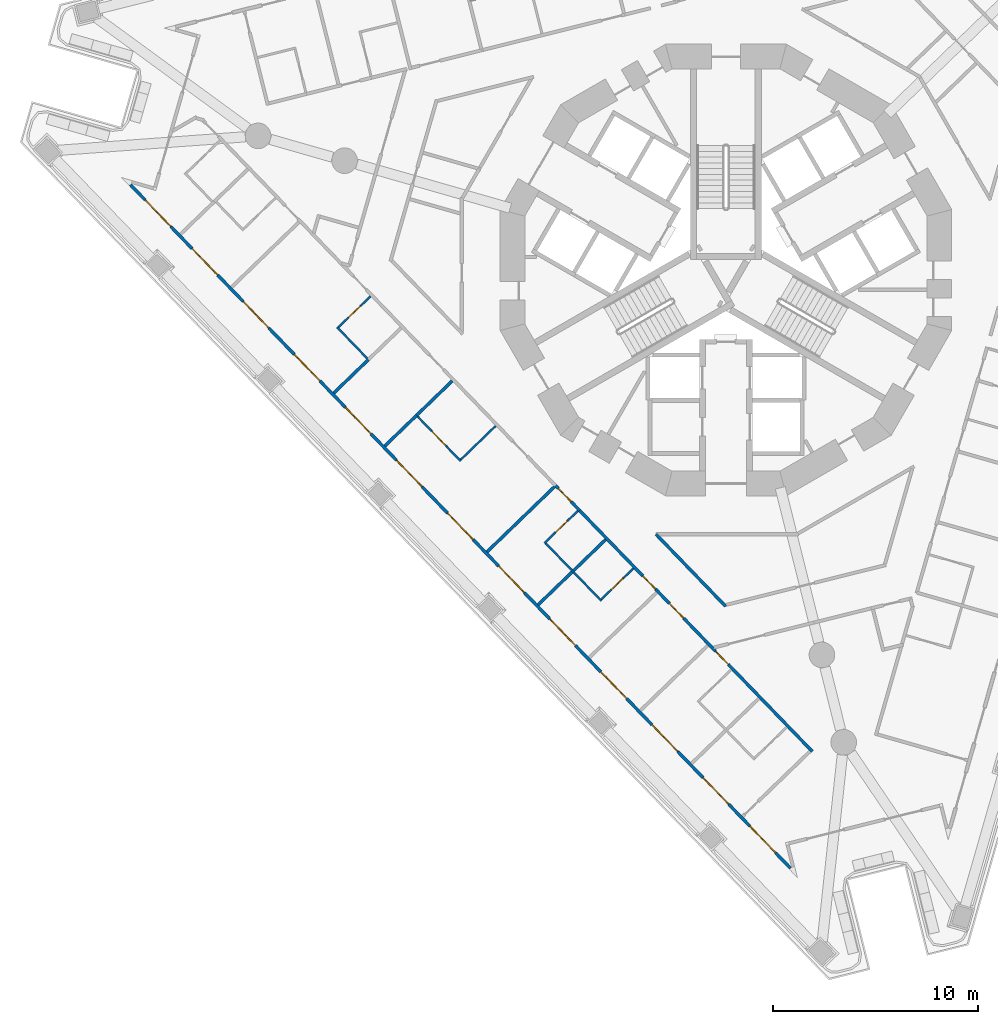
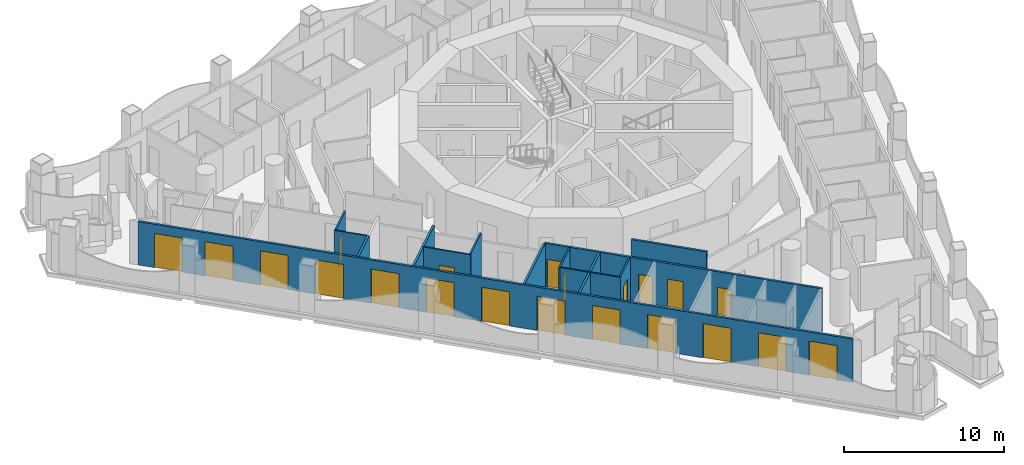
# One storey, part 2 of 19: 21 doors, 17 walls, 21 openings.
"""IFC4 building model written with IfcOpenShell, lengths in metres."""

from ifc_helpers import new_model, si_unit, direction, frame, frame_2d, origin, place, context, subcontext, project, spatial, polyline, rectangle, outline, extrude, material, layer, layer_set, type_object, element, fill, save


model = new_model("IFC4")

# Units and contexts
model_context = context("Model", 3, precision=1e-05, world=origin(), true_north=direction((0.0, 1.0)))
body_context = subcontext(model_context, "Body", "Model", "MODEL_VIEW")
ifc_project = project(units=[si_unit("LENGTHUNIT", "METRE"), si_unit("AREAUNIT", "SQUARE_METRE"), si_unit("VOLUMEUNIT", "CUBIC_METRE"), si_unit("PLANEANGLEUNIT", "RADIAN"), si_unit("MASSUNIT", "GRAM", prefix="KILO")], contexts=[model_context])

# Site, building, storey
site_placement = place(None, origin())
site = spatial("IfcSite", under=ifc_project, at=site_placement, CompositionType="ELEMENT")
building_placement = place(site_placement, origin())
building = spatial("IfcBuilding", under=site, at=building_placement, Name="Trine Commons Tower", CompositionType="ELEMENT")
storey_placement = place(building_placement, frame((0.0, 0.0, 98.10009765625)))
storey = spatial("IfcBuildingStorey", under=building, at=storey_placement, Name="L24", CompositionType="ELEMENT", Elevation=98.10009765625)

# Wall, openings, doors
ifc_material_1 = material(Name="Aluminium-framed insulated wall panel", Category="aluminium")
ifc_layer_1 = layer(ifc_material_1, 0.14990234375)
ifc_layer_set_1 = layer_set([ifc_layer_1], Name="Aluminium-framed insulated wall panel")
wall_type_1 = type_object("IfcWallType", Name="Glazed frame wall 150, EI 60", PredefinedType="SOLIDWALL", material=ifc_layer_set_1)
wall_1_placement = place(storey_placement, frame((83.25048828125, 33.21630859375, 0.0), z_axis=(0.0, 0.0, 1.0), x_axis=(-0.69466017463, 0.719338058067, 0.0)))
wall_1 = element("IfcWall", 1, at=wall_1_placement, inside=storey, type_object=wall_type_1, Name="Glazed frame wall F3", PredefinedType="SOLIDWALL", context=body_context, shape_type="SweptSolid", body=[
    extrude(outline(polyline([(0.1494140625, 0.074951171875), (0.1494140625, -0.074951171875), (46.496826171875, -0.074951171875), (46.496826171875, 0.074951171875), (0.1494140625, 0.074951171875)])), origin(), (0.0, 0.0, 1.0), 3.2998046875),
])
opening_1_placement = place(wall_1_placement, frame((1.194091796875, 0.0, 0.0)))
opening_1 = element("IfcOpeningElement", 2, at=opening_1_placement, cuts=wall_1, Name="Opening BD-3F3-01", PredefinedType="OPENING", context=body_context, shape_type="SweptSolid", body=[
    extrude(rectangle(XDim=1.800048828125, YDim=2.60009765625, at=frame_2d((0.89990234375, 1.300048828125))), frame((0.0, 0.0849609375, 0.0), z_axis=(0.0, -1.0, 0.0), x_axis=(1.0, 0.0, 0.0)), (0.0, 0.0, 1.0), 0.169921875),
])
opening_2_placement = place(wall_1_placement, frame((4.482421875, 0.0, 0.0)))
opening_2 = element("IfcOpeningElement", 3, at=opening_2_placement, cuts=wall_1, Name="Opening BD-3F3-02", PredefinedType="OPENING", context=body_context, shape_type="SweptSolid", body=[
    extrude(rectangle(XDim=1.800048828125, YDim=2.60009765625, at=frame_2d((0.89990234375, 1.300048828125))), frame((0.0, 0.0849609375, 0.0), z_axis=(0.0, -1.0, 0.0), x_axis=(1.0, 0.0, 0.0)), (0.0, 0.0, 1.0), 0.169921875),
])
opening_3_placement = place(wall_1_placement, frame((8.070556640625, 0.0, 0.0)))
opening_3 = element("IfcOpeningElement", 4, at=opening_3_placement, cuts=wall_1, Name="Opening BD-3F3-03", PredefinedType="OPENING", context=body_context, shape_type="SweptSolid", body=[
    extrude(rectangle(XDim=1.800048828125, YDim=2.60009765625, at=frame_2d((0.89990234375, 1.300048828125))), frame((0.0, 0.0849609375, 0.0), z_axis=(0.0, -1.0, 0.0), x_axis=(1.0, 0.0, 0.0)), (0.0, 0.0, 1.0), 0.169921875),
])
opening_4_placement = place(wall_1_placement, frame((11.65869140625, 0.0, 0.0)))
opening_4 = element("IfcOpeningElement", 5, at=opening_4_placement, cuts=wall_1, Name="Opening BD-3F3-04", PredefinedType="OPENING", context=body_context, shape_type="SweptSolid", body=[
    extrude(rectangle(XDim=1.800048828125, YDim=2.60009765625, at=frame_2d((0.89990234375, 1.300048828125))), frame((0.0, 0.0849609375, 0.0), z_axis=(0.0, -1.0, 0.0), x_axis=(1.0, 0.0, 0.0)), (0.0, 0.0, 1.0), 0.169921875),
])
opening_5_placement = place(wall_1_placement, frame((15.246826171875, 0.0, 0.0)))
opening_5 = element("IfcOpeningElement", 6, at=opening_5_placement, cuts=wall_1, Name="Opening BD-3F3-05", PredefinedType="OPENING", context=body_context, shape_type="SweptSolid", body=[
    extrude(rectangle(XDim=1.800048828125, YDim=2.60009765625, at=frame_2d((0.89990234375, 1.300048828125))), frame((0.0, 0.0849609375, 0.0), z_axis=(0.0, -1.0, 0.0), x_axis=(1.0, 0.0, 0.0)), (0.0, 0.0, 1.0), 0.169921875),
])
opening_6_placement = place(wall_1_placement, frame((18.835205078125, 0.0, 0.0)))
opening_6 = element("IfcOpeningElement", 7, at=opening_6_placement, cuts=wall_1, Name="Opening BD-3F3-06", PredefinedType="OPENING", context=body_context, shape_type="SweptSolid", body=[
    extrude(rectangle(XDim=1.800048828125, YDim=2.60009765625, at=frame_2d((0.89990234375, 1.300048828125))), frame((0.0, 0.0849609375, 0.0), z_axis=(0.0, -1.0, 0.0), x_axis=(1.0, 0.0, 0.0)), (0.0, 0.0, 1.0), 0.169921875),
])
opening_7_placement = place(wall_1_placement, frame((22.42333984375, 0.0, 0.0)))
opening_7 = element("IfcOpeningElement", 8, at=opening_7_placement, cuts=wall_1, Name="Opening BD-3F3-07", PredefinedType="OPENING", context=body_context, shape_type="SweptSolid", body=[
    extrude(rectangle(XDim=1.800048828125, YDim=2.60009765625, at=frame_2d((0.89990234375, 1.300048828125))), frame((0.0, 0.0849609375, 0.0), z_axis=(0.0, -1.0, 0.0), x_axis=(1.0, 0.0, 0.0)), (0.0, 0.0, 1.0), 0.169921875),
])
opening_8_placement = place(wall_1_placement, frame((26.011474609375, 0.0, 0.0)))
opening_8 = element("IfcOpeningElement", 9, at=opening_8_placement, cuts=wall_1, Name="Opening BD-3F3-08", PredefinedType="OPENING", context=body_context, shape_type="SweptSolid", body=[
    extrude(rectangle(XDim=1.800048828125, YDim=2.60009765625, at=frame_2d((0.89990234375, 1.300048828125))), frame((0.0, 0.0849609375, 0.0), z_axis=(0.0, -1.0, 0.0), x_axis=(1.0, 0.0, 0.0)), (0.0, 0.0, 1.0), 0.169921875),
])
opening_9_placement = place(wall_1_placement, frame((29.599609375, 0.0, 0.0)))
opening_9 = element("IfcOpeningElement", 10, at=opening_9_placement, cuts=wall_1, Name="Opening BD-3F3-09", PredefinedType="OPENING", context=body_context, shape_type="SweptSolid", body=[
    extrude(rectangle(XDim=1.800048828125, YDim=2.60009765625, at=frame_2d((0.89990234375, 1.300048828125))), frame((0.0, 0.0849609375, 0.0), z_axis=(0.0, -1.0, 0.0), x_axis=(1.0, 0.0, 0.0)), (0.0, 0.0, 1.0), 0.169921875),
])
opening_10_placement = place(wall_1_placement, frame((33.18798828125, 0.0, 0.0)))
opening_10 = element("IfcOpeningElement", 11, at=opening_10_placement, cuts=wall_1, Name="Opening BD-3F3-10", PredefinedType="OPENING", context=body_context, shape_type="SweptSolid", body=[
    extrude(rectangle(XDim=1.800048828125, YDim=2.60009765625, at=frame_2d((0.89990234375, 1.300048828125))), frame((0.0, 0.0849609375, 0.0), z_axis=(0.0, -1.0, 0.0), x_axis=(1.0, 0.0, 0.0)), (0.0, 0.0, 1.0), 0.169921875),
])
opening_11_placement = place(wall_1_placement, frame((36.776123046875, 0.0, 0.0)))
opening_11 = element("IfcOpeningElement", 12, at=opening_11_placement, cuts=wall_1, Name="Opening BD-3F3-11", PredefinedType="OPENING", context=body_context, shape_type="SweptSolid", body=[
    extrude(rectangle(XDim=1.800048828125, YDim=2.60009765625, at=frame_2d((0.89990234375, 1.300048828125))), frame((0.0, 0.0849609375, 0.0), z_axis=(0.0, -1.0, 0.0), x_axis=(1.0, 0.0, 0.0)), (0.0, 0.0, 1.0), 0.169921875),
])
opening_12_placement = place(wall_1_placement, frame((40.3642578125, 0.0, 0.0)))
opening_12 = element("IfcOpeningElement", 13, at=opening_12_placement, cuts=wall_1, Name="Opening BD-3F3-12", PredefinedType="OPENING", context=body_context, shape_type="SweptSolid", body=[
    extrude(rectangle(XDim=1.800048828125, YDim=2.60009765625, at=frame_2d((0.89990234375, 1.300048828125))), frame((0.0, 0.0849609375, 0.0), z_axis=(0.0, -1.0, 0.0), x_axis=(1.0, 0.0, 0.0)), (0.0, 0.0, 1.0), 0.169921875),
])
opening_13_placement = place(wall_1_placement, frame((43.652587890625, 0.0, 0.0)))
opening_13 = element("IfcOpeningElement", 14, at=opening_13_placement, cuts=wall_1, Name="Opening BD-3F3-13", PredefinedType="OPENING", context=body_context, shape_type="SweptSolid", body=[
    extrude(rectangle(XDim=1.800048828125, YDim=2.60009765625, at=frame_2d((0.89990234375, 1.300048828125))), frame((0.0, 0.0849609375, 0.0), z_axis=(0.0, -1.0, 0.0), x_axis=(1.0, 0.0, 0.0)), (0.0, 0.0, 1.0), 0.169921875),
])
ifc_material_2 = material(Name="Anodised aluminium frame with double glazing", Category="aluminium")
door_type_1 = type_object("IfcDoorType", Name="Sliding loggia door 1800x2600", OperationType="SLIDING_TO_LEFT", PredefinedType="DOOR", material=ifc_material_2)
door_1_placement = place(opening_1_placement, origin())
door_1 = element("IfcDoor", 15, at=door_1_placement, inside=storey, type_object=door_type_1, Name="Loggia door F3 1", OperationType="SLIDING_TO_LEFT", OverallHeight=2.60009765625, OverallWidth=1.800048828125, PredefinedType="DOOR", context=body_context, shape_type="SweptSolid", body=[
    extrude(rectangle(XDim=1.800048828125, YDim=2.60009765625, at=frame_2d((0.89990234375, 1.300048828125))), frame((0.0, 0.02490234375, 0.0), z_axis=(0.0, -1.0, 0.0), x_axis=(1.0, 0.0, 0.0)), (0.0, 0.0, 1.0), 0.050048828125),
])
fill(opening_1, door_1)
door_2_placement = place(opening_2_placement, origin())
door_2 = element("IfcDoor", 16, at=door_2_placement, inside=storey, type_object=door_type_1, Name="Loggia door F3 2", OperationType="SLIDING_TO_LEFT", OverallHeight=2.60009765625, OverallWidth=1.800048828125, PredefinedType="DOOR", context=body_context, shape_type="SweptSolid", body=[
    extrude(rectangle(XDim=1.800048828125, YDim=2.60009765625, at=frame_2d((0.89990234375, 1.300048828125))), frame((0.0, 0.02490234375, 0.0), z_axis=(0.0, -1.0, 0.0), x_axis=(1.0, 0.0, 0.0)), (0.0, 0.0, 1.0), 0.050048828125),
])
fill(opening_2, door_2)
door_3_placement = place(opening_3_placement, origin())
door_3 = element("IfcDoor", 17, at=door_3_placement, inside=storey, type_object=door_type_1, Name="Loggia door F3 3", OperationType="SLIDING_TO_LEFT", OverallHeight=2.60009765625, OverallWidth=1.800048828125, PredefinedType="DOOR", context=body_context, shape_type="SweptSolid", body=[
    extrude(rectangle(XDim=1.800048828125, YDim=2.60009765625, at=frame_2d((0.89990234375, 1.300048828125))), frame((0.0, 0.02490234375, 0.0), z_axis=(0.0, -1.0, 0.0), x_axis=(1.0, 0.0, 0.0)), (0.0, 0.0, 1.0), 0.050048828125),
])
fill(opening_3, door_3)
door_4_placement = place(opening_4_placement, origin())
door_4 = element("IfcDoor", 18, at=door_4_placement, inside=storey, type_object=door_type_1, Name="Loggia door F3 4", OperationType="SLIDING_TO_LEFT", OverallHeight=2.60009765625, OverallWidth=1.800048828125, PredefinedType="DOOR", context=body_context, shape_type="SweptSolid", body=[
    extrude(rectangle(XDim=1.800048828125, YDim=2.60009765625, at=frame_2d((0.89990234375, 1.300048828125))), frame((0.0, 0.02490234375, 0.0), z_axis=(0.0, -1.0, 0.0), x_axis=(1.0, 0.0, 0.0)), (0.0, 0.0, 1.0), 0.050048828125),
])
fill(opening_4, door_4)
door_5_placement = place(opening_5_placement, origin())
door_5 = element("IfcDoor", 19, at=door_5_placement, inside=storey, type_object=door_type_1, Name="Loggia door F3 5", OperationType="SLIDING_TO_LEFT", OverallHeight=2.60009765625, OverallWidth=1.800048828125, PredefinedType="DOOR", context=body_context, shape_type="SweptSolid", body=[
    extrude(rectangle(XDim=1.800048828125, YDim=2.60009765625, at=frame_2d((0.89990234375, 1.300048828125))), frame((0.0, 0.02490234375, 0.0), z_axis=(0.0, -1.0, 0.0), x_axis=(1.0, 0.0, 0.0)), (0.0, 0.0, 1.0), 0.050048828125),
])
fill(opening_5, door_5)
door_6_placement = place(opening_6_placement, origin())
door_6 = element("IfcDoor", 20, at=door_6_placement, inside=storey, type_object=door_type_1, Name="Loggia door F3 6", OperationType="SLIDING_TO_LEFT", OverallHeight=2.60009765625, OverallWidth=1.800048828125, PredefinedType="DOOR", context=body_context, shape_type="SweptSolid", body=[
    extrude(rectangle(XDim=1.800048828125, YDim=2.60009765625, at=frame_2d((0.89990234375, 1.300048828125))), frame((0.0, 0.02490234375, 0.0), z_axis=(0.0, -1.0, 0.0), x_axis=(1.0, 0.0, 0.0)), (0.0, 0.0, 1.0), 0.050048828125),
])
fill(opening_6, door_6)
door_7_placement = place(opening_7_placement, origin())
door_7 = element("IfcDoor", 21, at=door_7_placement, inside=storey, type_object=door_type_1, Name="Loggia door F3 7", OperationType="SLIDING_TO_LEFT", OverallHeight=2.60009765625, OverallWidth=1.800048828125, PredefinedType="DOOR", context=body_context, shape_type="SweptSolid", body=[
    extrude(rectangle(XDim=1.800048828125, YDim=2.60009765625, at=frame_2d((0.89990234375, 1.300048828125))), frame((0.0, 0.02490234375, 0.0), z_axis=(0.0, -1.0, 0.0), x_axis=(1.0, 0.0, 0.0)), (0.0, 0.0, 1.0), 0.050048828125),
])
fill(opening_7, door_7)
door_8_placement = place(opening_8_placement, origin())
door_8 = element("IfcDoor", 22, at=door_8_placement, inside=storey, type_object=door_type_1, Name="Loggia door F3 8", OperationType="SLIDING_TO_LEFT", OverallHeight=2.60009765625, OverallWidth=1.800048828125, PredefinedType="DOOR", context=body_context, shape_type="SweptSolid", body=[
    extrude(rectangle(XDim=1.800048828125, YDim=2.60009765625, at=frame_2d((0.89990234375, 1.300048828125))), frame((0.0, 0.02490234375, 0.0), z_axis=(0.0, -1.0, 0.0), x_axis=(1.0, 0.0, 0.0)), (0.0, 0.0, 1.0), 0.050048828125),
])
fill(opening_8, door_8)
door_9_placement = place(opening_9_placement, origin())
door_9 = element("IfcDoor", 23, at=door_9_placement, inside=storey, type_object=door_type_1, Name="Loggia door F3 9", OperationType="SLIDING_TO_LEFT", OverallHeight=2.60009765625, OverallWidth=1.800048828125, PredefinedType="DOOR", context=body_context, shape_type="SweptSolid", body=[
    extrude(rectangle(XDim=1.800048828125, YDim=2.60009765625, at=frame_2d((0.89990234375, 1.300048828125))), frame((0.0, 0.02490234375, 0.0), z_axis=(0.0, -1.0, 0.0), x_axis=(1.0, 0.0, 0.0)), (0.0, 0.0, 1.0), 0.050048828125),
])
fill(opening_9, door_9)
door_10_placement = place(opening_10_placement, origin())
door_10 = element("IfcDoor", 24, at=door_10_placement, inside=storey, type_object=door_type_1, Name="Loggia door F3 10", OperationType="SLIDING_TO_LEFT", OverallHeight=2.60009765625, OverallWidth=1.800048828125, PredefinedType="DOOR", context=body_context, shape_type="SweptSolid", body=[
    extrude(rectangle(XDim=1.800048828125, YDim=2.60009765625, at=frame_2d((0.89990234375, 1.300048828125))), frame((0.0, 0.02490234375, 0.0), z_axis=(0.0, -1.0, 0.0), x_axis=(1.0, 0.0, 0.0)), (0.0, 0.0, 1.0), 0.050048828125),
])
fill(opening_10, door_10)
door_11_placement = place(opening_11_placement, origin())
door_11 = element("IfcDoor", 25, at=door_11_placement, inside=storey, type_object=door_type_1, Name="Loggia door F3 11", OperationType="SLIDING_TO_LEFT", OverallHeight=2.60009765625, OverallWidth=1.800048828125, PredefinedType="DOOR", context=body_context, shape_type="SweptSolid", body=[
    extrude(rectangle(XDim=1.800048828125, YDim=2.60009765625, at=frame_2d((0.89990234375, 1.300048828125))), frame((0.0, 0.02490234375, 0.0), z_axis=(0.0, -1.0, 0.0), x_axis=(1.0, 0.0, 0.0)), (0.0, 0.0, 1.0), 0.050048828125),
])
fill(opening_11, door_11)
door_12_placement = place(opening_12_placement, origin())
door_12 = element("IfcDoor", 26, at=door_12_placement, inside=storey, type_object=door_type_1, Name="Loggia door F3 12", OperationType="SLIDING_TO_LEFT", OverallHeight=2.60009765625, OverallWidth=1.800048828125, PredefinedType="DOOR", context=body_context, shape_type="SweptSolid", body=[
    extrude(rectangle(XDim=1.800048828125, YDim=2.60009765625, at=frame_2d((0.89990234375, 1.300048828125))), frame((0.0, 0.02490234375, 0.0), z_axis=(0.0, -1.0, 0.0), x_axis=(1.0, 0.0, 0.0)), (0.0, 0.0, 1.0), 0.050048828125),
])
fill(opening_12, door_12)
door_13_placement = place(opening_13_placement, origin())
door_13 = element("IfcDoor", 27, at=door_13_placement, inside=storey, type_object=door_type_1, Name="Loggia door F3 13", OperationType="SLIDING_TO_LEFT", OverallHeight=2.60009765625, OverallWidth=1.800048828125, PredefinedType="DOOR", context=body_context, shape_type="SweptSolid", body=[
    extrude(rectangle(XDim=1.800048828125, YDim=2.60009765625, at=frame_2d((0.89990234375, 1.300048828125))), frame((0.0, 0.02490234375, 0.0), z_axis=(0.0, -1.0, 0.0), x_axis=(1.0, 0.0, 0.0)), (0.0, 0.0, 1.0), 0.050048828125),
])
fill(opening_13, door_13)

# Walls
ifc_material_3 = material(Name="Gypsum plasterboard on steel stud", Category="steel")
ifc_layer_2 = layer(ifc_material_3, 0.14990234375)
ifc_layer_set_2 = layer_set([ifc_layer_2], Name="Gypsum plasterboard on steel stud")
wall_type_2 = type_object("IfcWallType", Name="Unit and corridor wall 150 mm, EI 60", PredefinedType="PARTITIONING", material=ifc_layer_set_2)
wall_2_placement = place(storey_placement, frame((60.871826171875, 56.498779296875, 0.0), z_axis=(0.0, 0.0, 1.0), x_axis=(0.719512417317, 0.694479575889, 0.0)))
element("IfcWall", 28, at=wall_2_placement, inside=storey, type_object=wall_type_2, Name="Partition 019", PredefinedType="PARTITIONING", context=body_context, shape_type="SweptSolid", body=[
    extrude(rectangle(XDim=2.350341796875, YDim=0.14990234375, at=frame_2d((1.17529296875, 0.0))), origin(), (0.0, 0.0, 1.0), 3.2998046875),
])
wall_3_placement = place(storey_placement, frame((63.36376953125, 53.917724609375, 0.0), z_axis=(0.0, 0.0, 1.0), x_axis=(0.71955816268, 0.694432178488, 0.0)))
element("IfcWall", 29, at=wall_3_placement, inside=storey, type_object=wall_type_2, Name="Partition 028", PredefinedType="PARTITIONING", context=body_context, shape_type="SweptSolid", body=[
    extrude(rectangle(XDim=2.1474609375, YDim=0.14990234375, at=frame_2d((1.07373046875, 0.0))), origin(), (0.0, 0.0, 1.0), 3.2998046875),
])
wall_4_placement = place(storey_placement, frame((64.908935546875, 55.408935546875, 0.0), z_axis=(0.0, 0.0, 1.0), x_axis=(0.719182863788, 0.694820846286, 0.0)))
element("IfcWall", 30, at=wall_4_placement, inside=storey, type_object=wall_type_2, Name="Partition 035", PredefinedType="PARTITIONING", context=body_context, shape_type="SweptSolid", body=[
    extrude(rectangle(XDim=2.425048828125, YDim=0.14990234375, at=frame_2d((1.21240234375, 0.0))), origin(), (0.0, 0.0, 1.0), 3.2998046875),
])
wall_5_placement = place(storey_placement, frame((68.348876953125, 48.7548828125, 0.0), z_axis=(0.0, 0.0, 1.0), x_axis=(0.719356389488, 0.694641191482, 0.0)))
element("IfcWall", 31, at=wall_5_placement, inside=storey, type_object=wall_type_2, Name="Partition 046", PredefinedType="PARTITIONING", context=body_context, shape_type="SweptSolid", body=[
    extrude(rectangle(XDim=4.573486328125, YDim=0.14990234375, at=frame_2d((2.28662109375, 0.0))), origin(), (0.0, 0.0, 1.0), 3.2998046875),
])
wall_6_placement = place(storey_placement, frame((70.841796875, 46.173828125, 0.0), z_axis=(0.0, 0.0, 1.0), x_axis=(0.71937400428, 0.694622949496, 0.0)))
element("IfcWall", 32, at=wall_6_placement, inside=storey, type_object=wall_type_2, Name="Partition 048", PredefinedType="PARTITIONING", context=body_context, shape_type="SweptSolid", body=[
    extrude(rectangle(XDim=2.29833984375, YDim=0.14990234375, at=frame_2d((1.149169921875, 0.0))), origin(), (0.0, 0.0, 1.0), 3.2998046875),
])

# Wall, opening, door
wall_7_placement = place(storey_placement, frame((71.68896484375, 51.986083984375, 0.0), z_axis=(0.0, 0.0, 1.0), x_axis=(0.695212932068, -0.718803852999, 0.0)))
wall_7 = element("IfcWall", 33, at=wall_7_placement, inside=storey, type_object=wall_type_2, Name="Partition 051", PredefinedType="PARTITIONING", context=body_context, shape_type="SweptSolid", body=[
    extrude(rectangle(XDim=1.697265625, YDim=0.14990234375, at=frame_2d((0.8486328125, 0.0))), origin(), (0.0, 0.0, 1.0), 3.2998046875),
])
opening_14_placement = place(wall_7_placement, frame((0.197998046875, 0.0, 0.0)))
opening_14 = element("IfcOpeningElement", 34, at=opening_14_placement, cuts=wall_7, Name="Opening D-3B30", PredefinedType="OPENING", context=body_context, shape_type="SweptSolid", body=[
    extrude(rectangle(XDim=0.89990234375, YDim=2.10009765625, at=frame_2d((0.449951171875, 1.050048828125))), frame((0.0, 0.0849609375, 0.0), z_axis=(0.0, -1.0, 0.0), x_axis=(1.0, 0.0, 0.0)), (0.0, 0.0, 1.0), 0.169921875),
])
ifc_material_4 = material(Name="Timber fire door set", Category="wood")
door_type_2 = type_object("IfcDoorType", Name="Bedroom door 900 x 2100, FD30S", OperationType="NOTDEFINED", PredefinedType="DOOR", material=ifc_material_4)
door_14_placement = place(opening_14_placement, frame((0.89990234375, 0.0, 0.0), z_axis=(0.0, 0.0, 1.0), x_axis=(-1.0, 0.0, 0.0)))
door_14 = element("IfcDoor", 35, at=door_14_placement, inside=storey, type_object=door_type_2, Name="Door D-3B30", OperationType="SINGLE_SWING_RIGHT", OverallHeight=2.10009765625, OverallWidth=0.89990234375, PredefinedType="DOOR", context=body_context, shape_type="SweptSolid", body=[
    extrude(rectangle(XDim=0.89990234375, YDim=2.10009765625, at=frame_2d((0.449951171875, 1.050048828125))), frame((0.0, 0.02490234375, 0.0), z_axis=(0.0, -1.0, 0.0), x_axis=(1.0, 0.0, 0.0)), (0.0, 0.0, 1.0), 0.050048828125),
])
fill(opening_14, door_14)

# Wall
wall_8_placement = place(storey_placement, frame((72.56689453125, 47.839599609375, 0.0), z_axis=(0.0, 0.0, 1.0), x_axis=(0.71918093231, 0.694822845481, 0.0)))
element("IfcWall", 36, at=wall_8_placement, inside=storey, type_object=wall_type_2, Name="Partition 052", PredefinedType="PARTITIONING", context=body_context, shape_type="SweptSolid", body=[
    extrude(rectangle(XDim=2.175048828125, YDim=0.14990234375, at=frame_2d((1.08740234375, 0.0))), origin(), (0.0, 0.0, 1.0), 3.2998046875),
])

# Wall, openings, doors
wall_9_placement = place(storey_placement, frame((72.827880859375, 50.80810546875, 0.0), z_axis=(0.0, 0.0, 1.0), x_axis=(0.694636269786, -0.719361142055, 0.0)))
wall_9 = element("IfcWall", 37, at=wall_9_placement, inside=storey, type_object=wall_type_2, Name="Partition 053", PredefinedType="PARTITIONING", context=body_context, shape_type="SweptSolid", body=[
    extrude(rectangle(XDim=16.38134765625, YDim=0.14990234375, at=frame_2d((8.190673828125, 0.0))), origin(), (0.0, 0.0, 1.0), 3.2998046875),
])
opening_15_placement = place(wall_9_placement, frame((9.59619140625, 0.0, 0.0)))
opening_15 = element("IfcOpeningElement", 38, at=opening_15_placement, cuts=wall_9, Name="Opening D-3B27", PredefinedType="OPENING", context=body_context, shape_type="SweptSolid", body=[
    extrude(rectangle(XDim=0.89990234375, YDim=2.10009765625, at=frame_2d((0.449951171875, 1.050048828125))), frame((0.0, 0.0849609375, 0.0), z_axis=(0.0, -1.0, 0.0), x_axis=(1.0, 0.0, 0.0)), (0.0, 0.0, 1.0), 0.169921875),
])
opening_16_placement = place(wall_9_placement, frame((6.3583984375, 0.0, 0.0)))
opening_16 = element("IfcOpeningElement", 39, at=opening_16_placement, cuts=wall_9, Name="Opening D-3B28", PredefinedType="OPENING", context=body_context, shape_type="SweptSolid", body=[
    extrude(rectangle(XDim=1.0, YDim=2.10009765625, at=frame_2d((0.5, 1.050048828125))), frame((0.0, 0.0849609375, 0.0), z_axis=(0.0, -1.0, 0.0), x_axis=(1.0, 0.0, 0.0)), (0.0, 0.0, 1.0), 0.169921875),
])
opening_17_placement = place(wall_9_placement, frame((4.49169921875, 0.0, 0.0)))
opening_17 = element("IfcOpeningElement", 40, at=opening_17_placement, cuts=wall_9, Name="Opening D-3B29", PredefinedType="OPENING", context=body_context, shape_type="SweptSolid", body=[
    extrude(rectangle(XDim=0.89990234375, YDim=2.10009765625, at=frame_2d((0.449951171875, 1.050048828125))), frame((0.0, 0.0849609375, 0.0), z_axis=(0.0, -1.0, 0.0), x_axis=(1.0, 0.0, 0.0)), (0.0, 0.0, 1.0), 0.169921875),
])
ifc_material_5 = material(Name="Painted timber", Category="wood")
door_type_3 = type_object("IfcDoorType", Name="Amenity room door 1000 x 2100, NOT RATED", OperationType="NOTDEFINED", PredefinedType="DOOR", material=ifc_material_5)
door_15_placement = place(opening_16_placement, frame((1.0, 0.0, 0.0), z_axis=(0.0, 0.0, 1.0), x_axis=(-1.0, 0.0, 0.0)))
door_15 = element("IfcDoor", 41, at=door_15_placement, inside=storey, type_object=door_type_3, Name="Door D-3B28", OperationType="SINGLE_SWING_RIGHT", OverallHeight=2.10009765625, OverallWidth=1.0, PredefinedType="DOOR", context=body_context, shape_type="SweptSolid", body=[
    extrude(rectangle(XDim=1.0, YDim=2.10009765625, at=frame_2d((0.5, 1.050048828125))), frame((0.0, 0.02490234375, 0.0), z_axis=(0.0, -1.0, 0.0), x_axis=(1.0, 0.0, 0.0)), (0.0, 0.0, 1.0), 0.050048828125),
])
fill(opening_16, door_15)
door_16_placement = place(opening_15_placement, frame((0.89990234375, 0.0, 0.0), z_axis=(0.0, 0.0, 1.0), x_axis=(-1.0, 0.0, 0.0)))
door_16 = element("IfcDoor", 42, at=door_16_placement, inside=storey, type_object=door_type_2, Name="Door D-3B27", OperationType="SINGLE_SWING_LEFT", OverallHeight=2.10009765625, OverallWidth=0.89990234375, PredefinedType="DOOR", context=body_context, shape_type="SweptSolid", body=[
    extrude(rectangle(XDim=0.89990234375, YDim=2.10009765625, at=frame_2d((0.449951171875, 1.050048828125))), frame((0.0, 0.02490234375, 0.0), z_axis=(0.0, -1.0, 0.0), x_axis=(1.0, 0.0, 0.0)), (0.0, 0.0, 1.0), 0.050048828125),
])
fill(opening_15, door_16)
door_17_placement = place(opening_17_placement, frame((0.89990234375, 0.0, 0.0), z_axis=(0.0, 0.0, 1.0), x_axis=(-1.0, 0.0, 0.0)))
door_17 = element("IfcDoor", 43, at=door_17_placement, inside=storey, type_object=door_type_2, Name="Door D-3B29", OperationType="SINGLE_SWING_RIGHT", OverallHeight=2.10009765625, OverallWidth=0.89990234375, PredefinedType="DOOR", context=body_context, shape_type="SweptSolid", body=[
    extrude(rectangle(XDim=0.89990234375, YDim=2.10009765625, at=frame_2d((0.449951171875, 1.050048828125))), frame((0.0, 0.02490234375, 0.0), z_axis=(0.0, -1.0, 0.0), x_axis=(1.0, 0.0, 0.0)), (0.0, 0.0, 1.0), 0.050048828125),
])
fill(opening_17, door_17)

# Walls
wall_10_placement = place(storey_placement, frame((76.587890625, 49.613037109375, 0.0), z_axis=(0.0, 0.0, 1.0), x_axis=(0.694768247914, -0.719233676694, 0.0)))
element("IfcWall", 44, at=wall_10_placement, inside=storey, type_object=wall_type_2, Name="Partition 061", PredefinedType="PARTITIONING", context=body_context, shape_type="SweptSolid", body=[
    extrude(rectangle(XDim=4.8896484375, YDim=0.14990234375, at=frame_2d((2.44482421875, 0.0))), origin(), (0.0, 0.0, 1.0), 3.2998046875),
])
ifc_layer_3 = layer(ifc_material_3, 0.10009765625)
ifc_layer_set_3 = layer_set([ifc_layer_3], Name="Gypsum plasterboard on steel stud")
wall_type_3 = type_object("IfcWallType", Name="Unit partition 100 mm, no rating", PredefinedType="PARTITIONING", material=ifc_layer_set_3)
wall_11_placement = place(storey_placement, frame((61.0322265625, 59.7119140625, 0.0), z_axis=(0.0, 0.0, 1.0), x_axis=(0.694471469345, -0.719520241734, 0.0)))
element("IfcWall", 45, at=wall_11_placement, inside=storey, type_object=wall_type_3, Name="Partition 020", PredefinedType="PARTITIONING", context=body_context, shape_type="SweptSolid", body=[
    extrude(rectangle(XDim=2.124755859375, YDim=0.10009765625, at=frame_2d((1.0625, 0.0))), origin(), (0.0, 0.0, 1.0), 3.2998046875),
])

# Wall, opening, door
wall_12_placement = place(storey_placement, frame((61.10302734375, 59.710693359375, 0.0), z_axis=(0.0, 0.0, 1.0), x_axis=(0.719126734191, 0.69487893922, 0.0)))
wall_12 = element("IfcWall", 46, at=wall_12_placement, inside=storey, type_object=wall_type_3, Name="Partition 021", PredefinedType="PARTITIONING", context=body_context, shape_type="SweptSolid", body=[
    extrude(rectangle(XDim=2.1748046875, YDim=0.10009765625, at=frame_2d((1.08740234375, 0.0))), origin(), (0.0, 0.0, 1.0), 3.2998046875),
])
opening_18_placement = place(wall_12_placement, frame((0.6875, 0.0, 0.0)))
opening_18 = element("IfcOpeningElement", 47, at=opening_18_placement, cuts=wall_12, Name="Opening D-3B63", PredefinedType="OPENING", context=body_context, shape_type="SweptSolid", body=[
    extrude(rectangle(XDim=0.800048828125, YDim=2.10009765625, at=frame_2d((0.39990234375, 1.050048828125))), frame((0.0, 0.06005859375, 0.0), z_axis=(0.0, -1.0, 0.0), x_axis=(1.0, 0.0, 0.0)), (0.0, 0.0, 1.0), 0.1201171875),
])
door_type_4 = type_object("IfcDoorType", Name="Internal door 800 x 2100, NOT RATED", OperationType="NOTDEFINED", PredefinedType="DOOR", material=ifc_material_5)
door_18_placement = place(opening_18_placement, origin())
door_18 = element("IfcDoor", 48, at=door_18_placement, inside=storey, type_object=door_type_4, Name="Door D-3B63", OperationType="SINGLE_SWING_LEFT", OverallHeight=2.10009765625, OverallWidth=0.800048828125, PredefinedType="DOOR", context=body_context, shape_type="SweptSolid", body=[
    extrude(rectangle(XDim=0.800048828125, YDim=2.10009765625, at=frame_2d((0.39990234375, 1.050048828125))), frame((0.0, 0.02490234375, 0.0), z_axis=(0.0, -1.0, 0.0), x_axis=(1.0, 0.0, 0.0)), (0.0, 0.0, 1.0), 0.050048828125),
])
fill(opening_18, door_18)

wall_13_placement = place(storey_placement, frame((64.961181640625, 55.35498046875, 0.0), z_axis=(0.0, 0.0, 1.0), x_axis=(0.694692443601, -0.719306894728, 0.0)))
wall_13 = element("IfcWall", 49, at=wall_13_placement, inside=storey, type_object=wall_type_3, Name="Partition 036", PredefinedType="PARTITIONING", context=body_context, shape_type="SweptSolid", body=[
    extrude(rectangle(XDim=3.025146484375, YDim=0.10009765625, at=frame_2d((1.5126953125, 0.0))), origin(), (0.0, 0.0, 1.0), 3.2998046875),
])
opening_19_placement = place(wall_13_placement, frame((0.98779296875, 0.0, 0.0)))
opening_19 = element("IfcOpeningElement", 50, at=opening_19_placement, cuts=wall_13, Name="Opening D-3B62", PredefinedType="OPENING", context=body_context, shape_type="SweptSolid", body=[
    extrude(rectangle(XDim=1.0, YDim=2.10009765625, at=frame_2d((0.5, 1.050048828125))), frame((0.0, 0.06005859375, 0.0), z_axis=(0.0, -1.0, 0.0), x_axis=(1.0, 0.0, 0.0)), (0.0, 0.0, 1.0), 0.1201171875),
])
door_type_5 = type_object("IfcDoorType", Name="Internal door 1000 x 2100, NOT RATED", OperationType="NOTDEFINED", PredefinedType="DOOR", material=ifc_material_5)
door_19_placement = place(opening_19_placement, frame((1.0, 0.0, 0.0), z_axis=(0.0, 0.0, 1.0), x_axis=(-1.0, 0.0, 0.0)))
door_19 = element("IfcDoor", 51, at=door_19_placement, inside=storey, type_object=door_type_5, Name="Door D-3B62", OperationType="SINGLE_SWING_RIGHT", OverallHeight=2.10009765625, OverallWidth=1.0, PredefinedType="DOOR", context=body_context, shape_type="SweptSolid", body=[
    extrude(rectangle(XDim=1.0, YDim=2.10009765625, at=frame_2d((0.5, 1.050048828125))), frame((0.0, 0.02490234375, 0.0), z_axis=(0.0, -1.0, 0.0), x_axis=(1.0, 0.0, 0.0)), (0.0, 0.0, 1.0), 0.050048828125),
])
fill(opening_19, door_19)

# Wall
wall_14_placement = place(storey_placement, frame((67.06396484375, 53.249755859375, 0.0), z_axis=(0.0, 0.0, 1.0), x_axis=(0.719233177485, 0.694768764702, 0.0)))
element("IfcWall", 52, at=wall_14_placement, inside=storey, type_object=wall_type_3, Name="Partition 040", PredefinedType="PARTITIONING", context=body_context, shape_type="SweptSolid", body=[
    extrude(rectangle(XDim=2.375, YDim=0.10009765625, at=frame_2d((1.1875, 0.0))), origin(), (0.0, 0.0, 1.0), 3.2998046875),
])

# Wall, opening, door
wall_15_placement = place(storey_placement, frame((71.139892578125, 49.17333984375, 0.0), z_axis=(0.0, 0.0, 1.0), x_axis=(0.71965659141, 0.694330173937, 0.0)))
wall_15 = element("IfcWall", 53, at=wall_15_placement, inside=storey, type_object=wall_type_3, Name="Partition 049", PredefinedType="PARTITIONING", context=body_context, shape_type="SweptSolid", body=[
    extrude(rectangle(XDim=2.27490234375, YDim=0.10009765625, at=frame_2d((1.137451171875, 0.0))), origin(), (0.0, 0.0, 1.0), 3.2998046875),
])
opening_20_placement = place(wall_15_placement, frame((0.762451171875, 0.0, 0.0)))
opening_20 = element("IfcOpeningElement", 54, at=opening_20_placement, cuts=wall_15, Name="Opening D-3B61", PredefinedType="OPENING", context=body_context, shape_type="SweptSolid", body=[
    extrude(rectangle(XDim=0.800048828125, YDim=2.10009765625, at=frame_2d((0.39990234375, 1.050048828125))), frame((0.0, 0.06005859375, 0.0), z_axis=(0.0, -1.0, 0.0), x_axis=(1.0, 0.0, 0.0)), (0.0, 0.0, 1.0), 0.1201171875),
])
door_20_placement = place(opening_20_placement, origin())
door_20 = element("IfcDoor", 55, at=door_20_placement, inside=storey, type_object=door_type_4, Name="Door D-3B61", OperationType="SINGLE_SWING_RIGHT", OverallHeight=2.10009765625, OverallWidth=0.800048828125, PredefinedType="DOOR", context=body_context, shape_type="SweptSolid", body=[
    extrude(rectangle(XDim=0.800048828125, YDim=2.10009765625, at=frame_2d((0.39990234375, 1.050048828125))), frame((0.0, 0.02490234375, 0.0), z_axis=(0.0, -1.0, 0.0), x_axis=(1.0, 0.0, 0.0)), (0.0, 0.0, 1.0), 0.050048828125),
])
fill(opening_20, door_20)

# Wall
wall_16_placement = place(storey_placement, frame((71.210693359375, 49.172119140625, 0.0), z_axis=(0.0, 0.0, 1.0), x_axis=(0.694540892951, -0.719453228513, 0.0)))
element("IfcWall", 56, at=wall_16_placement, inside=storey, type_object=wall_type_3, Name="Partition 050", PredefinedType="PARTITIONING", context=body_context, shape_type="SweptSolid", body=[
    extrude(rectangle(XDim=3.900390625, YDim=0.10009765625, at=frame_2d((1.9501953125, 0.0))), origin(), (0.0, 0.0, 1.0), 3.2998046875),
])

# Wall, opening, door
wall_17_placement = place(storey_placement, frame((73.9208984375, 46.436767578125, 0.0), z_axis=(0.0, 0.0, 1.0), x_axis=(0.719397593573, 0.69459851883, 0.0)))
wall_17 = element("IfcWall", 57, at=wall_17_placement, inside=storey, type_object=wall_type_3, Name="Partition 055", PredefinedType="PARTITIONING", context=body_context, shape_type="SweptSolid", body=[
    extrude(rectangle(XDim=2.17578125, YDim=0.10009765625, at=frame_2d((1.087890625, 0.0))), origin(), (0.0, 0.0, 1.0), 3.2998046875),
])
opening_21_placement = place(wall_17_placement, frame((0.687744140625, 0.0, 0.0)))
opening_21 = element("IfcOpeningElement", 58, at=opening_21_placement, cuts=wall_17, Name="Opening D-3B60", PredefinedType="OPENING", context=body_context, shape_type="SweptSolid", body=[
    extrude(rectangle(XDim=0.800048828125, YDim=2.10009765625, at=frame_2d((0.39990234375, 1.050048828125))), frame((0.0, 0.06005859375, 0.0), z_axis=(0.0, -1.0, 0.0), x_axis=(1.0, 0.0, 0.0)), (0.0, 0.0, 1.0), 0.1201171875),
])
door_21_placement = place(opening_21_placement, frame((0.800048828125, 0.0, 0.0), z_axis=(0.0, 0.0, 1.0), x_axis=(-1.0, 0.0, 0.0)))
door_21 = element("IfcDoor", 59, at=door_21_placement, inside=storey, type_object=door_type_4, Name="Door D-3B60", OperationType="SINGLE_SWING_RIGHT", OverallHeight=2.10009765625, OverallWidth=0.800048828125, PredefinedType="DOOR", context=body_context, shape_type="SweptSolid", body=[
    extrude(rectangle(XDim=0.800048828125, YDim=2.10009765625, at=frame_2d((0.39990234375, 1.050048828125))), frame((0.0, 0.02490234375, 0.0), z_axis=(0.0, -1.0, 0.0), x_axis=(1.0, 0.0, 0.0)), (0.0, 0.0, 1.0), 0.050048828125),
])
fill(opening_21, door_21)

save(model, "model.ifc")
